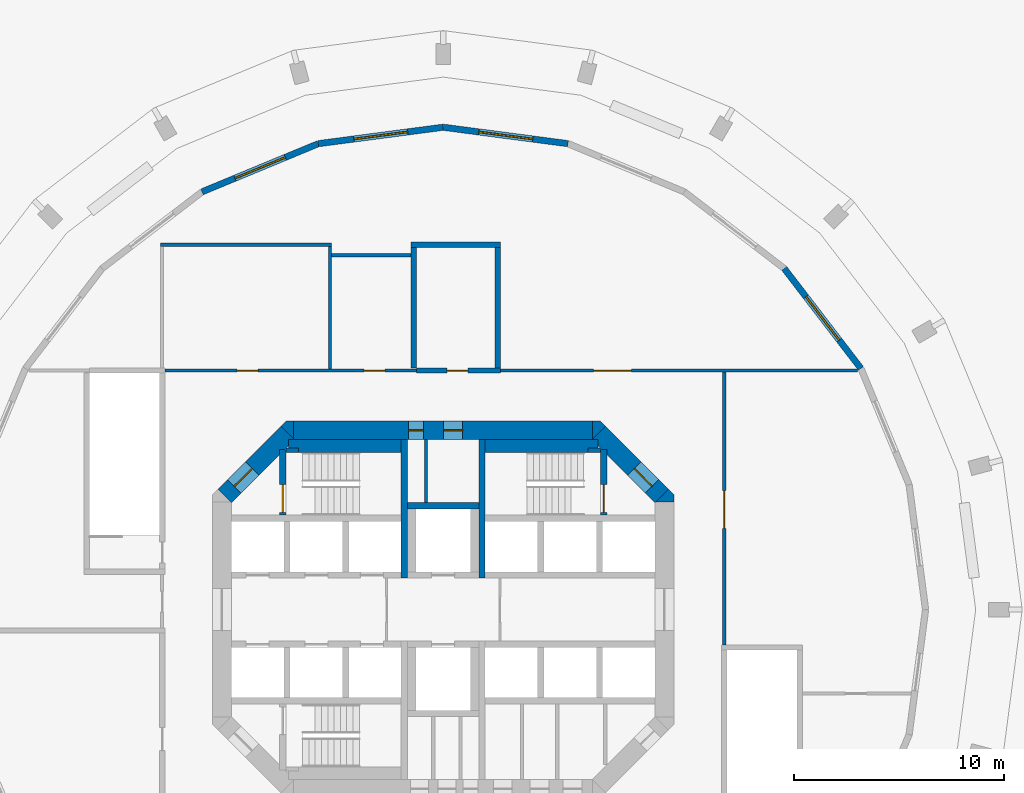
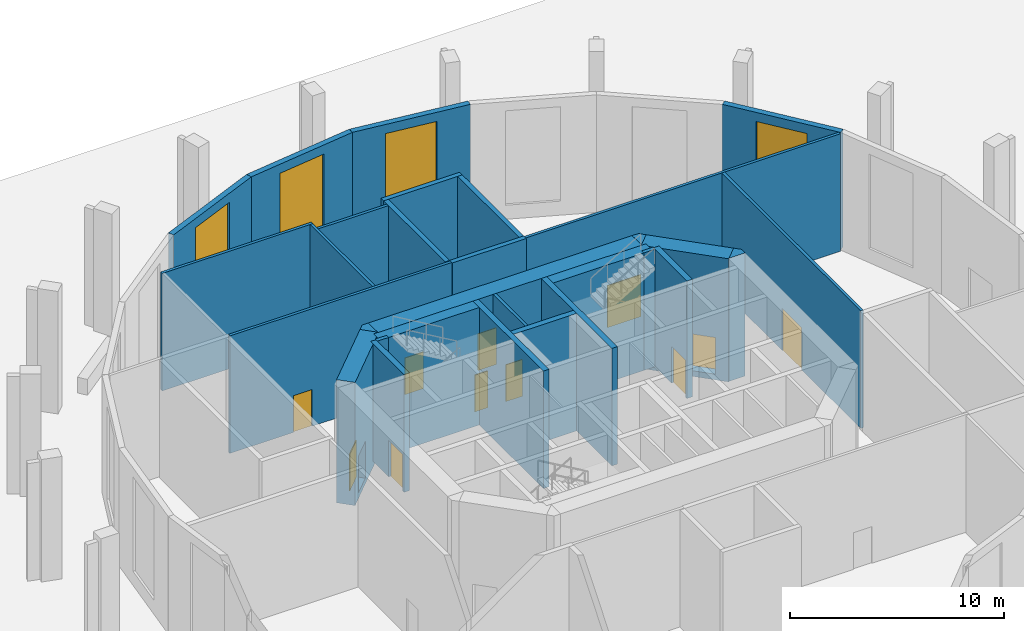
# One storey, part 5 of 7: 30 walls, 11 doors, 4 windows, 15 openings.
"""IFC4 building model written with IfcOpenShell, lengths in metres."""

from ifc_helpers import new_model, si_unit, direction, frame, frame_2d, origin, place, context, subcontext, project, spatial, polyline, rectangle, outline, extrude, material, layer, layer_set, type_object, element, fill, save


model = new_model("IFC4")

# Units and contexts
model_context = context("Model", 3, precision=1e-05, world=origin(), true_north=direction((0.0, 1.0)))
body_context = subcontext(model_context, "Body", "Model", "MODEL_VIEW")
ifc_project = project(units=[si_unit("LENGTHUNIT", "METRE"), si_unit("AREAUNIT", "SQUARE_METRE"), si_unit("VOLUMEUNIT", "CUBIC_METRE"), si_unit("PLANEANGLEUNIT", "RADIAN"), si_unit("MASSUNIT", "GRAM", prefix="KILO")], contexts=[model_context])

# Site, building, storey
site_placement = place(None, origin())
site = spatial("IfcSite", under=ifc_project, at=site_placement, CompositionType="ELEMENT")
building_placement = place(site_placement, origin())
building = spatial("IfcBuilding", under=site, at=building_placement, Name="Torre Triforio", CompositionType="ELEMENT")
storey_placement = place(building_placement, frame((0.0, 0.0, 20.0)))
storey = spatial("IfcBuildingStorey", under=building, at=storey_placement, Name="L03", CompositionType="ELEMENT", Elevation=20.0)

# Walls
ifc_material_1 = material(Name="Concrete C60", Category="concrete")
ifc_layer_1 = layer(ifc_material_1, 0.300048828125)
ifc_layer_set_1 = layer_set([ifc_layer_1], Name="Concrete C60")
wall_type_1 = type_object("IfcWallType", Name="Core wall 300 mm C60 EI 120", PredefinedType="SHEAR", material=ifc_layer_set_1)
for number, where, z_axis, x_axis, name in (
    (1, (-1.85009765625, 1.5, 0.0), (0.0, 0.0, 1.0), (0.0, 1.0, 0.0), "Core wall"),
    (2, (1.85009765625, 1.5, 0.0), (0.0, 0.0, 1.0), (0.0, 1.0, 0.0), "Core wall"),
):
    element("IfcWall", number, at=place(storey_placement, frame(where, z_axis=z_axis, x_axis=x_axis)), inside=storey, type_object=wall_type_1, Name=name, PredefinedType="SHEAR", context=body_context, shape_type="SweptSolid", body=[
        extrude(rectangle(XDim=6.60009765625, YDim=0.300048828125, at=frame_2d((3.300048828125, 0.0))), origin(), (0.0, 0.0, 1.0), 6.719970703125),
    ])

# Wall, openings, doors
ifc_layer_2 = layer(ifc_material_1, 0.89990234375)
ifc_layer_set_2 = layer_set([ifc_layer_2], Name="Concrete C60")
wall_type_2 = type_object("IfcWallType", Name="Core wall 900 mm C60 EI 120", PredefinedType="SHEAR", material=ifc_layer_set_2)
wall_1_placement = place(storey_placement, frame((-7.1298828125, 8.550048828125, -0.320068359375), z_axis=(0.0, 0.0, 1.0), x_axis=(1.0, 0.0, 0.0)))
wall_1 = element("IfcWall", 3, at=wall_1_placement, inside=storey, type_object=wall_type_2, Name="Core wall", PredefinedType="SHEAR", context=body_context, shape_type="SweptSolid", body=[
    extrude(rectangle(XDim=14.259765625, YDim=0.89990234375, at=frame_2d((7.1298828125, 0.0))), origin(), (0.0, 0.0, 1.0), 7.0400390625),
])
opening_1_placement = place(wall_1_placement, frame((5.47998046875, 0.0, 0.320068359375)))
opening_1 = element("IfcOpeningElement", 4, at=opening_1_placement, cuts=wall_1, Name="Opening RISER-N", PredefinedType="OPENING", context=body_context, shape_type="SweptSolid", body=[
    extrude(rectangle(XDim=0.699951171875, YDim=2.10009765625, at=frame_2d((0.35009765625, 1.050048828125))), frame((0.0, 0.4599609375, 0.0), z_axis=(0.0, -1.0, 0.0), x_axis=(1.0, 0.0, 0.0)), (0.0, 0.0, 1.0), 0.919921875),
])
opening_2_placement = place(wall_1_placement, frame((7.155029296875, 0.0, 0.320068359375)))
opening_2 = element("IfcOpeningElement", 5, at=opening_2_placement, cuts=wall_1, Name="Opening NE-01", PredefinedType="OPENING", context=body_context, shape_type="SweptSolid", body=[
    extrude(rectangle(XDim=0.89990234375, YDim=2.10009765625, at=frame_2d((0.449951171875, 1.050048828125))), frame((0.0, 0.4599609375, 0.0), z_axis=(0.0, -1.0, 0.0), x_axis=(1.0, 0.0, 0.0)), (0.0, 0.0, 1.0), 0.919921875),
])
ifc_material_2 = material(Name="Hollow metal fire door leaf")
door_type_1 = type_object("IfcDoorType", Name="Riser door 700 x 2100 EI 60", OperationType="NOTDEFINED", PredefinedType="DOOR", material=ifc_material_2)
door_1_placement = place(opening_1_placement, origin())
door_1 = element("IfcDoor", 6, at=door_1_placement, inside=storey, type_object=door_type_1, Name="Core door RISER-N", OperationType="SINGLE_SWING_LEFT", OverallHeight=2.10009765625, OverallWidth=0.699951171875, PredefinedType="DOOR", context=body_context, shape_type="SweptSolid", body=[
    extrude(rectangle(XDim=0.699951171875, YDim=2.10009765625, at=frame_2d((0.35009765625, 1.050048828125))), frame((0.0, 0.02490234375, 0.0), z_axis=(0.0, -1.0, 0.0), x_axis=(1.0, 0.0, 0.0)), (0.0, 0.0, 1.0), 0.050048828125),
])
fill(opening_1, door_1)
door_type_2 = type_object("IfcDoorType", Name="Room door 900 x 2100 EI 60", OperationType="NOTDEFINED", PredefinedType="DOOR", material=ifc_material_2)
door_2_placement = place(opening_2_placement, origin())
door_2 = element("IfcDoor", 7, at=door_2_placement, inside=storey, type_object=door_type_2, Name="Core door NE-01", OperationType="SINGLE_SWING_RIGHT", OverallHeight=2.10009765625, OverallWidth=0.89990234375, PredefinedType="DOOR", context=body_context, shape_type="SweptSolid", body=[
    extrude(rectangle(XDim=0.89990234375, YDim=2.10009765625, at=frame_2d((0.449951171875, 1.050048828125))), frame((0.0, 0.02490234375, 0.0), z_axis=(0.0, -1.0, 0.0), x_axis=(1.0, 0.0, 0.0)), (0.0, 0.0, 1.0), 0.050048828125),
])
fill(opening_2, door_2)

# Wall, opening, door
wall_2_placement = place(storey_placement, frame((-10.418212890625, 5.418212890625, -0.320068359375), z_axis=(0.0, 0.0, 1.0), x_axis=(0.707106781187, 0.707106781187, 0.0)))
wall_2 = element("IfcWall", 8, at=wall_2_placement, inside=storey, type_object=wall_type_2, Name="Core wall", PredefinedType="SHEAR", context=body_context, shape_type="SweptSolid", body=[
    extrude(rectangle(XDim=4.24267578125, YDim=0.89990234375, at=frame_2d((2.121337890625, 0.0))), origin(), (0.0, 0.0, 1.0), 7.0400390625),
])
opening_3_placement = place(wall_2_placement, frame((0.64990234375, 0.0, 0.320068359375)))
opening_3 = element("IfcOpeningElement", 9, at=opening_3_placement, cuts=wall_2, Name="Opening ST1-EXIT", PredefinedType="OPENING", context=body_context, shape_type="SweptSolid", body=[
    extrude(rectangle(XDim=1.199951171875, YDim=2.10009765625, at=frame_2d((0.60009765625, 1.050048828125))), frame((0.0, 0.4599609375, 0.0), z_axis=(0.0, -1.0, 0.0), x_axis=(1.0, 0.0, 0.0)), (0.0, 0.0, 1.0), 0.919921875),
])
door_type_3 = type_object("IfcDoorType", Name="Stair lobby door 1200 x 2100 EI 60", OperationType="NOTDEFINED", PredefinedType="DOOR", material=ifc_material_2)
door_3_placement = place(opening_3_placement, origin())
door_3 = element("IfcDoor", 10, at=door_3_placement, inside=storey, type_object=door_type_3, Name="Core door ST1-EXIT", OperationType="SINGLE_SWING_RIGHT", OverallHeight=2.10009765625, OverallWidth=1.199951171875, PredefinedType="DOOR", context=body_context, shape_type="SweptSolid", body=[
    extrude(rectangle(XDim=1.199951171875, YDim=2.10009765625, at=frame_2d((0.60009765625, 1.050048828125))), frame((0.0, 0.02490234375, 0.0), z_axis=(0.0, -1.0, 0.0), x_axis=(1.0, 0.0, 0.0)), (0.0, 0.0, 1.0), 0.050048828125),
])
fill(opening_3, door_3)

wall_3_placement = place(storey_placement, frame((7.418212890625, 8.418212890625, -0.320068359375), z_axis=(0.0, 0.0, 1.0), x_axis=(0.707106781187, -0.707106781187, 0.0)))
wall_3 = element("IfcWall", 11, at=wall_3_placement, inside=storey, type_object=wall_type_2, Name="Core wall", PredefinedType="SHEAR", context=body_context, shape_type="SweptSolid", body=[
    extrude(rectangle(XDim=4.24267578125, YDim=0.89990234375, at=frame_2d((2.121337890625, 0.0))), origin(), (0.0, 0.0, 1.0), 7.0400390625),
])
opening_4_placement = place(wall_3_placement, frame((2.392578125, 0.0, 0.320068359375)))
opening_4 = element("IfcOpeningElement", 12, at=opening_4_placement, cuts=wall_3, Name="Opening ST2-EXIT", PredefinedType="OPENING", context=body_context, shape_type="SweptSolid", body=[
    extrude(rectangle(XDim=1.199951171875, YDim=2.10009765625, at=frame_2d((0.60009765625, 1.050048828125))), frame((0.0, 0.4599609375, 0.0), z_axis=(0.0, -1.0, 0.0), x_axis=(1.0, 0.0, 0.0)), (0.0, 0.0, 1.0), 0.919921875),
])
door_4_placement = place(opening_4_placement, origin())
door_4 = element("IfcDoor", 13, at=door_4_placement, inside=storey, type_object=door_type_3, Name="Core door ST2-EXIT", OperationType="SINGLE_SWING_RIGHT", OverallHeight=2.10009765625, OverallWidth=1.199951171875, PredefinedType="DOOR", context=body_context, shape_type="SweptSolid", body=[
    extrude(rectangle(XDim=1.199951171875, YDim=2.10009765625, at=frame_2d((0.60009765625, 1.050048828125))), frame((0.0, 0.02490234375, 0.0), z_axis=(0.0, -1.0, 0.0), x_axis=(1.0, 0.0, 0.0)), (0.0, 0.0, 1.0), 0.050048828125),
])
fill(opening_4, door_4)

# Walls
wall_4_placement = place(storey_placement, frame((0.0, 0.0, -0.320068359375)))
element("IfcWall", 14, at=wall_4_placement, inside=storey, type_object=wall_type_2, Name="Core wall", PredefinedType="SHEAR", context=body_context, shape_type="SweptSolid", body=[
    extrude(outline(polyline([(11.0, 5.472900390625), (11.0, 5.1298828125), (10.1298828125, 5.1298828125), (10.736328125, 5.736328125), (11.0, 5.472900390625)])), origin(), (0.0, 0.0, 1.0), 7.0400390625),
])
wall_5_placement = place(storey_placement, frame((0.0, 0.0, -0.320068359375)))
element("IfcWall", 15, at=wall_5_placement, inside=storey, type_object=wall_type_2, Name="Core wall", PredefinedType="SHEAR", context=body_context, shape_type="SweptSolid", body=[
    extrude(outline(polyline([(-7.472900390625, 9.0), (-7.1298828125, 9.0), (-7.1298828125, 8.1298828125), (-7.736328125, 8.736328125), (-7.472900390625, 9.0)])), origin(), (0.0, 0.0, 1.0), 7.0400390625),
])
wall_6_placement = place(storey_placement, frame((0.0, 0.0, -0.320068359375)))
element("IfcWall", 16, at=wall_6_placement, inside=storey, type_object=wall_type_2, Name="Core wall", PredefinedType="SHEAR", context=body_context, shape_type="SweptSolid", body=[
    extrude(outline(polyline([(7.472900390625, 9.0), (7.736328125, 8.736328125), (7.1298828125, 8.1298828125), (7.1298828125, 9.0), (7.472900390625, 9.0)])), origin(), (0.0, 0.0, 1.0), 7.0400390625),
])

# Wall, opening, door
ifc_material_3 = material(Name="Plasterboard on metal studs")
ifc_layer_3 = layer(ifc_material_3, 0.14990234375)
ifc_layer_set_3 = layer_set([ifc_layer_3], Name="Plasterboard on metal studs")
wall_type_3 = type_object("IfcWallType", Name="Corridor wall 150 EI 60", PredefinedType="PARTITIONING", material=ifc_layer_set_3)
wall_7_placement = place(storey_placement, frame((13.39990234375, -1.675048828125, 0.0), z_axis=(0.0, 0.0, 1.0), x_axis=(0.0, 1.0, 0.0)))
wall_7 = element("IfcWall", 17, at=wall_7_placement, inside=storey, type_object=wall_type_3, Name="Corridor wall L03 006", PredefinedType="PARTITIONING", context=body_context, shape_type="SweptSolid", body=[
    extrude(rectangle(XDim=13.0, YDim=0.14990234375, at=frame_2d((6.5, 0.0))), origin(), (0.0, 0.0, 1.0), 6.719970703125),
])
opening_5_placement = place(wall_7_placement, frame((5.550048828125, 0.0, 0.0)))
opening_5 = element("IfcOpeningElement", 18, at=opening_5_placement, cuts=wall_7, Name="Opening P3-09", PredefinedType="OPENING", context=body_context, shape_type="SweptSolid", body=[
    extrude(rectangle(XDim=1.800048828125, YDim=2.39990234375, at=frame_2d((0.89990234375, 1.199951171875))), frame((0.0, 0.0849609375, 0.0), z_axis=(0.0, -1.0, 0.0), x_axis=(1.0, 0.0, 0.0)), (0.0, 0.0, 1.0), 0.169921875),
])
ifc_material_4 = material(Name="Timber door leaf", Category="wood")
door_type_4 = type_object("IfcDoorType", Name="Double door 1800 x 2400 EI 60", OperationType="NOTDEFINED", PredefinedType="DOOR", material=ifc_material_4)
door_5_placement = place(opening_5_placement, origin())
door_5 = element("IfcDoor", 19, at=door_5_placement, inside=storey, type_object=door_type_4, Name="Door P3-09", OperationType="SINGLE_SWING_LEFT", OverallHeight=2.39990234375, OverallWidth=1.800048828125, PredefinedType="DOOR", context=body_context, shape_type="SweptSolid", body=[
    extrude(rectangle(XDim=1.800048828125, YDim=2.39990234375, at=frame_2d((0.89990234375, 1.199951171875))), frame((0.0, 0.02490234375, 0.0), z_axis=(0.0, -1.0, 0.0), x_axis=(1.0, 0.0, 0.0)), (0.0, 0.0, 1.0), 0.050048828125),
])
fill(opening_5, door_5)

wall_8_placement = place(storey_placement, frame((2.72509765625, 11.39990234375, 0.0), z_axis=(0.0, 0.0, 1.0), x_axis=(1.0, 0.0, 0.0)))
wall_8 = element("IfcWall", 20, at=wall_8_placement, inside=storey, type_object=wall_type_3, Name="Corridor wall L03 015", PredefinedType="PARTITIONING", context=body_context, shape_type="SweptSolid", body=[
    extrude(rectangle(XDim=17.0224609375, YDim=0.14990234375, at=frame_2d((8.51123046875, 0.0))), origin(), (0.0, 0.0, 1.0), 6.719970703125),
])
opening_6_placement = place(wall_8_placement, frame((4.449951171875, 0.0, 0.0)))
opening_6 = element("IfcOpeningElement", 21, at=opening_6_placement, cuts=wall_8, Name="Opening P3-08", PredefinedType="OPENING", context=body_context, shape_type="SweptSolid", body=[
    extrude(rectangle(XDim=1.800048828125, YDim=2.39990234375, at=frame_2d((0.89990234375, 1.199951171875))), frame((0.0, 0.0849609375, 0.0), z_axis=(0.0, -1.0, 0.0), x_axis=(1.0, 0.0, 0.0)), (0.0, 0.0, 1.0), 0.169921875),
])
door_6_placement = place(opening_6_placement, origin())
door_6 = element("IfcDoor", 22, at=door_6_placement, inside=storey, type_object=door_type_4, Name="Door P3-08", OperationType="SINGLE_SWING_LEFT", OverallHeight=2.39990234375, OverallWidth=1.800048828125, PredefinedType="DOOR", context=body_context, shape_type="SweptSolid", body=[
    extrude(rectangle(XDim=1.800048828125, YDim=2.39990234375, at=frame_2d((0.89990234375, 1.199951171875))), frame((0.0, 0.02490234375, 0.0), z_axis=(0.0, -1.0, 0.0), x_axis=(1.0, 0.0, 0.0)), (0.0, 0.0, 1.0), 0.050048828125),
])
fill(opening_6, door_6)

# Walls
ifc_material_5 = material(Name="Block and board partition")
ifc_layer_4 = layer(ifc_material_5, 0.14990234375)
ifc_layer_set_4 = layer_set([ifc_layer_4], Name="Block and board partition")
wall_type_4 = type_object("IfcWallType", Name="Partition 150 mm EI 120", PredefinedType="PARTITIONING", material=ifc_layer_set_4)
wall_9_placement = place(storey_placement, frame((-0.824951171875, 5.10009765625, 0.0), z_axis=(0.0, 0.0, 1.0), x_axis=(0.0, 1.0, 0.0)))
element("IfcWall", 23, at=wall_9_placement, inside=storey, type_object=wall_type_4, Name="Partition", PredefinedType="PARTITIONING", context=body_context, shape_type="SweptSolid", body=[
    extrude(rectangle(XDim=3.0, YDim=0.14990234375, at=frame_2d((1.5, 0.0))), origin(), (0.0, 0.0, 1.0), 6.719970703125),
])
ifc_material_6 = material(Name="Masonry block", Category="masonry")
ifc_layer_5 = layer(ifc_material_6, 0.25)
ifc_layer_set_5 = layer_set([ifc_layer_5], Name="Masonry block")
wall_type_5 = type_object("IfcWallType", Name="Plant room wall 250 EI 120", PredefinedType="PARTITIONING", material=ifc_layer_set_5)
wall_10_placement = place(storey_placement, frame((-1.39990234375, 11.52490234375, 0.0), z_axis=(0.0, 0.0, 1.0), x_axis=(0.0, 1.0, 0.0)))
element("IfcWall", 24, at=wall_10_placement, inside=storey, type_object=wall_type_5, Name="Plant room wall L03 001", PredefinedType="PARTITIONING", context=body_context, shape_type="SweptSolid", body=[
    extrude(rectangle(XDim=5.75, YDim=0.25, at=frame_2d((2.875, 0.0))), origin(), (0.0, 0.0, 1.0), 6.719970703125),
])
wall_11_placement = place(storey_placement, frame((-1.52490234375, 17.39990234375, 0.0), z_axis=(0.0, 0.0, 1.0), x_axis=(1.0, 0.0, 0.0)))
element("IfcWall", 25, at=wall_11_placement, inside=storey, type_object=wall_type_5, Name="Plant room wall L03 007", PredefinedType="PARTITIONING", context=body_context, shape_type="SweptSolid", body=[
    extrude(rectangle(XDim=4.25, YDim=0.25, at=frame_2d((2.125, 0.0))), origin(), (0.0, 0.0, 1.0), 6.719970703125),
])
wall_12_placement = place(storey_placement, frame((2.60009765625, 11.52490234375, 0.0), z_axis=(0.0, 0.0, 1.0), x_axis=(0.0, 1.0, 0.0)))
element("IfcWall", 26, at=wall_12_placement, inside=storey, type_object=wall_type_5, Name="Plant room wall L03 008", PredefinedType="PARTITIONING", context=body_context, shape_type="SweptSolid", body=[
    extrude(rectangle(XDim=5.75, YDim=0.25, at=frame_2d((2.875, 0.0))), origin(), (0.0, 0.0, 1.0), 6.719970703125),
])

# Wall, opening, door
wall_13_placement = place(storey_placement, frame((-1.27490234375, 11.39990234375, 0.0), z_axis=(0.0, 0.0, 1.0), x_axis=(1.0, 0.0, 0.0)))
wall_13 = element("IfcWall", 27, at=wall_13_placement, inside=storey, type_object=wall_type_5, Name="Plant room wall L03 009", PredefinedType="PARTITIONING", context=body_context, shape_type="SweptSolid", body=[
    extrude(rectangle(XDim=4.0, YDim=0.25, at=frame_2d((2.0, 0.0))), origin(), (0.0, 0.0, 1.0), 6.719970703125),
])
opening_7_placement = place(wall_13_placement, frame((1.449951171875, 0.0, 0.0)))
opening_7 = element("IfcOpeningElement", 28, at=opening_7_placement, cuts=wall_13, Name="Opening P3-07", PredefinedType="OPENING", context=body_context, shape_type="SweptSolid", body=[
    extrude(rectangle(XDim=1.0, YDim=2.10009765625, at=frame_2d((0.5, 1.050048828125))), frame((0.0, 0.135009765625, 0.0), z_axis=(0.0, -1.0, 0.0), x_axis=(1.0, 0.0, 0.0)), (0.0, 0.0, 1.0), 0.27001953125),
])
door_type_5 = type_object("IfcDoorType", Name="Fire door 1000 x 2100 EI 60", OperationType="NOTDEFINED", PredefinedType="DOOR", material=ifc_material_2)
door_7_placement = place(opening_7_placement, origin())
door_7 = element("IfcDoor", 29, at=door_7_placement, inside=storey, type_object=door_type_5, Name="Door P3-07", OperationType="SINGLE_SWING_LEFT", OverallHeight=2.10009765625, OverallWidth=1.0, PredefinedType="DOOR", context=body_context, shape_type="SweptSolid", body=[
    extrude(rectangle(XDim=1.0, YDim=2.10009765625, at=frame_2d((0.5, 1.050048828125))), frame((0.0, 0.02490234375, 0.0), z_axis=(0.0, -1.0, 0.0), x_axis=(1.0, 0.0, 0.0)), (0.0, 0.0, 1.0), 0.050048828125),
])
fill(opening_7, door_7)

# Walls
ifc_layer_6 = layer(ifc_material_1, 0.300048828125)
ifc_layer_set_6 = layer_set([ifc_layer_6], Name="Concrete C60")
wall_type_6 = type_object("IfcWallType", Name="Shaft wall 300 mm C60 EI 120", PredefinedType="SOLIDWALL", material=ifc_layer_set_6)
wall_14_placement = place(storey_placement, frame((-1.699951171875, 4.949951171875, 0.0), z_axis=(0.0, 0.0, 1.0), x_axis=(1.0, 0.0, 0.0)))
element("IfcWall", 30, at=wall_14_placement, inside=storey, type_object=wall_type_6, Name="Shaft wall", PredefinedType="SOLIDWALL", context=body_context, shape_type="SweptSolid", body=[
    extrude(rectangle(XDim=3.39990234375, YDim=0.300048828125, at=frame_2d((1.699951171875, 0.0))), origin(), (0.0, 0.0, 1.0), 6.719970703125),
])
ifc_layer_7 = layer(ifc_material_1, 0.199951171875)
ifc_layer_set_7 = layer_set([ifc_layer_7], Name="Concrete C60")
wall_type_7 = type_object("IfcWallType", Name="Stair wall 200 mm C60 EI 120", PredefinedType="SHEAR", material=ifc_layer_set_7)
for number, where, z_axis, x_axis, name in (
    (31, (-7.5, 7.60009765625, 0.0), (0.0, 0.0, 1.0), (1.0, 0.0, 0.0), "Stair wall"),
    (32, (6.89990234375, 7.60009765625, 0.0), (0.0, 0.0, 1.0), (1.0, 0.0, 0.0), "Stair wall"),
):
    element("IfcWall", number, at=place(storey_placement, frame(where, z_axis=z_axis, x_axis=x_axis)), inside=storey, type_object=wall_type_7, Name=name, PredefinedType="SHEAR", context=body_context, shape_type="SweptSolid", body=[
        extrude(rectangle(XDim=0.60009765625, YDim=0.199951171875, at=frame_2d((0.300048828125, 0.0))), origin(), (0.0, 0.0, 1.0), 6.719970703125),
    ])

# Wall, opening, door
ifc_layer_8 = layer(ifc_material_1, 0.300048828125)
ifc_layer_set_8 = layer_set([ifc_layer_8], Name="Concrete C60")
wall_type_8 = type_object("IfcWallType", Name="Stair wall 300 mm C60 EI 120", PredefinedType="SHEAR", material=ifc_layer_set_8)
wall_15_placement = place(storey_placement, frame((-7.64990234375, 4.5, 0.0), z_axis=(0.0, 0.0, 1.0), x_axis=(0.0, 1.0, 0.0)))
wall_15 = element("IfcWall", 33, at=wall_15_placement, inside=storey, type_object=wall_type_8, Name="Stair wall", PredefinedType="SHEAR", context=body_context, shape_type="SweptSolid", body=[
    extrude(rectangle(XDim=3.139892578125, YDim=0.300048828125, at=frame_2d((1.56982421875, 0.0))), origin(), (0.0, 0.0, 1.0), 6.719970703125),
])
opening_8_placement = place(wall_15_placement, frame((0.139892578125, 0.0, 0.0)))
opening_8 = element("IfcOpeningElement", 34, at=opening_8_placement, cuts=wall_15, Name="Opening ST1-STA", PredefinedType="OPENING", context=body_context, shape_type="SweptSolid", body=[
    extrude(rectangle(XDim=1.320068359375, YDim=2.10009765625, at=frame_2d((0.66015625, 1.050048828125))), frame((0.0, 0.159912109375, 0.0), z_axis=(0.0, -1.0, 0.0), x_axis=(1.0, 0.0, 0.0)), (0.0, 0.0, 1.0), 0.320068359375),
])
door_type_6 = type_object("IfcDoorType", Name="Stair door 1320 x 2100 EI 90", OperationType="DOUBLE_DOOR_SINGLE_SWING", PredefinedType="DOOR", material=ifc_material_2)
door_8_placement = place(opening_8_placement, origin())
door_8 = element("IfcDoor", 35, at=door_8_placement, inside=storey, type_object=door_type_6, Name="Core door ST1-ST", OperationType="DOUBLE_DOOR_SINGLE_SWING", OverallHeight=2.10009765625, OverallWidth=1.320068359375, PredefinedType="DOOR", context=body_context, shape_type="SweptSolid", body=[
    extrude(rectangle(XDim=1.320068359375, YDim=2.10009765625, at=frame_2d((0.66015625, 1.050048828125))), frame((0.0, 0.02490234375, 0.0), z_axis=(0.0, -1.0, 0.0), x_axis=(1.0, 0.0, 0.0)), (0.0, 0.0, 1.0), 0.050048828125),
])
fill(opening_8, door_8)

wall_16_placement = place(storey_placement, frame((7.64990234375, 4.5, 0.0), z_axis=(0.0, 0.0, 1.0), x_axis=(0.0, 1.0, 0.0)))
wall_16 = element("IfcWall", 36, at=wall_16_placement, inside=storey, type_object=wall_type_8, Name="Stair wall", PredefinedType="SHEAR", context=body_context, shape_type="SweptSolid", body=[
    extrude(rectangle(XDim=3.139892578125, YDim=0.300048828125, at=frame_2d((1.56982421875, 0.0))), origin(), (0.0, 0.0, 1.0), 6.719970703125),
])
opening_9_placement = place(wall_16_placement, frame((0.139892578125, 0.0, 0.0)))
opening_9 = element("IfcOpeningElement", 37, at=opening_9_placement, cuts=wall_16, Name="Opening ST2-STA", PredefinedType="OPENING", context=body_context, shape_type="SweptSolid", body=[
    extrude(rectangle(XDim=1.320068359375, YDim=2.10009765625, at=frame_2d((0.66015625, 1.050048828125))), frame((0.0, 0.159912109375, 0.0), z_axis=(0.0, -1.0, 0.0), x_axis=(1.0, 0.0, 0.0)), (0.0, 0.0, 1.0), 0.320068359375),
])
door_9_placement = place(opening_9_placement, origin())
door_9 = element("IfcDoor", 38, at=door_9_placement, inside=storey, type_object=door_type_6, Name="Core door ST2-ST", OperationType="DOUBLE_DOOR_SINGLE_SWING", OverallHeight=2.10009765625, OverallWidth=1.320068359375, PredefinedType="DOOR", context=body_context, shape_type="SweptSolid", body=[
    extrude(rectangle(XDim=1.320068359375, YDim=2.10009765625, at=frame_2d((0.66015625, 1.050048828125))), frame((0.0, 0.02490234375, 0.0), z_axis=(0.0, -1.0, 0.0), x_axis=(1.0, 0.0, 0.0)), (0.0, 0.0, 1.0), 0.050048828125),
])
fill(opening_9, door_9)

# Walls
ifc_layer_9 = layer(ifc_material_1, 0.60009765625)
ifc_layer_set_9 = layer_set([ifc_layer_9], Name="Concrete C60")
wall_type_9 = type_object("IfcWallType", Name="Stair wall 600 mm C60 EI 120", PredefinedType="SHEAR", material=ifc_layer_set_9)
for number, where, z_axis, x_axis, name in (
    (39, (-7.3701171875, 7.800048828125, 0.0), (0.0, 0.0, 1.0), (1.0, 0.0, 0.0), "Stair wall"),
    (40, (2.0, 7.800048828125, 0.0), (0.0, 0.0, 1.0), (1.0, 0.0, 0.0), "Stair wall"),
):
    element("IfcWall", number, at=place(storey_placement, frame(where, z_axis=z_axis, x_axis=x_axis)), inside=storey, type_object=wall_type_9, Name=name, PredefinedType="SHEAR", context=body_context, shape_type="SweptSolid", body=[
        extrude(rectangle(XDim=5.3701171875, YDim=0.60009765625, at=frame_2d((2.68505859375, 0.0))), origin(), (0.0, 0.0, 1.0), 6.719970703125),
    ])

# Wall, opening, window
ifc_material_7 = material(Name="Limestone cladding", Category="masonry")
ifc_layer_10 = layer(ifc_material_7, 0.10009765625)
ifc_material_8 = material(Name="Concrete C40", Category="concrete")
ifc_layer_11 = layer(ifc_material_8, 0.199951171875)
ifc_layer_set_10 = layer_set([ifc_layer_10, ifc_layer_11], Name="Limestone cladding / Concrete C40")
wall_type_10 = type_object("IfcWallType", Name="Stone-faced composite wall 300", PredefinedType="STANDARD", material=ifc_layer_set_10)
wall_17_placement = place(storey_placement, frame((19.918701171875, 11.5, 0.0), z_axis=(0.0, 0.0, 1.0), x_axis=(-0.608778912074, 0.793339924758, 0.0)))
wall_17 = element("IfcWall", 41, at=wall_17_placement, inside=storey, type_object=wall_type_10, Name="External wall L03 bay 03", PredefinedType="STANDARD", context=body_context, shape_type="SweptSolid", body=[
    extrude(rectangle(XDim=6.004150390625, YDim=0.300048828125, at=frame_2d((3.001953125, 0.0))), origin(), (0.0, 0.0, 1.0), 6.719970703125),
])
opening_10_placement = place(wall_17_placement, frame((1.7021484375, 0.0, 0.800048828125)))
opening_10 = element("IfcOpeningElement", 42, at=opening_10_placement, cuts=wall_17, Name="Opening P3-W03", PredefinedType="OPENING", context=body_context, shape_type="SweptSolid", body=[
    extrude(rectangle(XDim=2.60009765625, YDim=5.39990234375, at=frame_2d((1.300048828125, 2.699951171875))), frame((0.0, 0.159912109375, 0.0), z_axis=(0.0, -1.0, 0.0), x_axis=(1.0, 0.0, 0.0)), (0.0, 0.0, 1.0), 0.320068359375),
])
ifc_material_9 = material(Name="Aluminium frame with clear double glazing", Category="aluminium")
window_type = type_object("IfcWindowType", Name="Punched window 2600 x 5400", PartitioningType="DOUBLE_PANEL_VERTICAL", PredefinedType="WINDOW", material=ifc_material_9)
window_1_placement = place(opening_10_placement, origin())
window_1 = element("IfcWindow", 43, at=window_1_placement, inside=storey, type_object=window_type, Name="Window EWN1 L03 bay 03", OverallHeight=5.39990234375, OverallWidth=2.60009765625, PartitioningType="SINGLE_PANEL", PredefinedType="WINDOW", context=body_context, shape_type="SweptSolid", body=[
    extrude(rectangle(XDim=2.60009765625, YDim=5.39990234375, at=frame_2d((1.300048828125, 2.699951171875))), frame((0.0, 0.030029296875, 0.0), z_axis=(0.0, -1.0, 0.0), x_axis=(1.0, 0.0, 0.0)), (0.0, 0.0, 1.0), 0.06005859375),
])
fill(opening_10, window_1)

wall_18_placement = place(storey_placement, frame((5.952880859375, 22.21630859375, 0.0), z_axis=(0.0, 0.0, 1.0), x_axis=(-0.991445297315, 0.130522880875, 0.0)))
wall_18 = element("IfcWall", 44, at=wall_18_placement, inside=storey, type_object=wall_type_10, Name="External wall L03 bay 06", PredefinedType="STANDARD", context=body_context, shape_type="SweptSolid", body=[
    extrude(rectangle(XDim=6.004150390625, YDim=0.300048828125, at=frame_2d((3.001953125, 0.0))), origin(), (0.0, 0.0, 1.0), 6.719970703125),
])
opening_11_placement = place(wall_18_placement, frame((1.7021484375, 0.0, 0.800048828125)))
opening_11 = element("IfcOpeningElement", 45, at=opening_11_placement, cuts=wall_18, Name="Opening P3-W06", PredefinedType="OPENING", context=body_context, shape_type="SweptSolid", body=[
    extrude(rectangle(XDim=2.60009765625, YDim=5.39990234375, at=frame_2d((1.300048828125, 2.699951171875))), frame((0.0, 0.159912109375, 0.0), z_axis=(0.0, -1.0, 0.0), x_axis=(1.0, 0.0, 0.0)), (0.0, 0.0, 1.0), 0.320068359375),
])
window_2_placement = place(opening_11_placement, origin())
window_2 = element("IfcWindow", 46, at=window_2_placement, inside=storey, type_object=window_type, Name="Window EWN1 L03 bay 06", OverallHeight=5.39990234375, OverallWidth=2.60009765625, PartitioningType="SINGLE_PANEL", PredefinedType="WINDOW", context=body_context, shape_type="SweptSolid", body=[
    extrude(rectangle(XDim=2.60009765625, YDim=5.39990234375, at=frame_2d((1.300048828125, 2.699951171875))), frame((0.0, 0.030029296875, 0.0), z_axis=(0.0, -1.0, 0.0), x_axis=(1.0, 0.0, 0.0)), (0.0, 0.0, 1.0), 0.06005859375),
])
fill(opening_11, window_2)

wall_19_placement = place(storey_placement, frame((0.0, 23.0, 0.0), z_axis=(0.0, 0.0, 1.0), x_axis=(-0.991445297315, -0.130522880875, 0.0)))
wall_19 = element("IfcWall", 47, at=wall_19_placement, inside=storey, type_object=wall_type_10, Name="External wall L03 bay 07", PredefinedType="STANDARD", context=body_context, shape_type="SweptSolid", body=[
    extrude(rectangle(XDim=6.004150390625, YDim=0.300048828125, at=frame_2d((3.001953125, 0.0))), origin(), (0.0, 0.0, 1.0), 6.719970703125),
])
opening_12_placement = place(wall_19_placement, frame((1.7021484375, 0.0, 0.800048828125)))
opening_12 = element("IfcOpeningElement", 48, at=opening_12_placement, cuts=wall_19, Name="Opening P3-W07", PredefinedType="OPENING", context=body_context, shape_type="SweptSolid", body=[
    extrude(rectangle(XDim=2.60009765625, YDim=5.39990234375, at=frame_2d((1.300048828125, 2.699951171875))), frame((0.0, 0.159912109375, 0.0), z_axis=(0.0, -1.0, 0.0), x_axis=(1.0, 0.0, 0.0)), (0.0, 0.0, 1.0), 0.320068359375),
])
window_3_placement = place(opening_12_placement, origin())
window_3 = element("IfcWindow", 49, at=window_3_placement, inside=storey, type_object=window_type, Name="Window EWN1 L03 bay 07", OverallHeight=5.39990234375, OverallWidth=2.60009765625, PartitioningType="SINGLE_PANEL", PredefinedType="WINDOW", context=body_context, shape_type="SweptSolid", body=[
    extrude(rectangle(XDim=2.60009765625, YDim=5.39990234375, at=frame_2d((1.300048828125, 2.699951171875))), frame((0.0, 0.030029296875, 0.0), z_axis=(0.0, -1.0, 0.0), x_axis=(1.0, 0.0, 0.0)), (0.0, 0.0, 1.0), 0.06005859375),
])
fill(opening_12, window_3)

wall_20_placement = place(storey_placement, frame((-5.952880859375, 22.21630859375, 0.0), z_axis=(0.0, 0.0, 1.0), x_axis=(-0.923884511653, -0.382671411433, 0.0)))
wall_20 = element("IfcWall", 50, at=wall_20_placement, inside=storey, type_object=wall_type_10, Name="External wall L03 bay 08", PredefinedType="STANDARD", context=body_context, shape_type="SweptSolid", body=[
    extrude(rectangle(XDim=6.004150390625, YDim=0.300048828125, at=frame_2d((3.001953125, 0.0))), origin(), (0.0, 0.0, 1.0), 6.719970703125),
])
opening_13_placement = place(wall_20_placement, frame((1.7021484375, 0.0, 0.800048828125)))
opening_13 = element("IfcOpeningElement", 51, at=opening_13_placement, cuts=wall_20, Name="Opening P3-W08", PredefinedType="OPENING", context=body_context, shape_type="SweptSolid", body=[
    extrude(rectangle(XDim=2.60009765625, YDim=5.39990234375, at=frame_2d((1.300048828125, 2.699951171875))), frame((0.0, 0.159912109375, 0.0), z_axis=(0.0, -1.0, 0.0), x_axis=(1.0, 0.0, 0.0)), (0.0, 0.0, 1.0), 0.320068359375),
])
window_4_placement = place(opening_13_placement, origin())
window_4 = element("IfcWindow", 52, at=window_4_placement, inside=storey, type_object=window_type, Name="Window EWN1 L03 bay 08", OverallHeight=5.39990234375, OverallWidth=2.60009765625, PartitioningType="SINGLE_PANEL", PredefinedType="WINDOW", context=body_context, shape_type="SweptSolid", body=[
    extrude(rectangle(XDim=2.60009765625, YDim=5.39990234375, at=frame_2d((1.300048828125, 2.699951171875))), frame((0.0, 0.030029296875, 0.0), z_axis=(0.0, -1.0, 0.0), x_axis=(1.0, 0.0, 0.0)), (0.0, 0.0, 1.0), 0.06005859375),
])
fill(opening_13, window_4)

# Walls
ifc_layer_12 = layer(ifc_material_3, 0.14990234375)
ifc_layer_set_11 = layer_set([ifc_layer_12], Name="Plasterboard on metal studs")
wall_type_11 = type_object("IfcWallType", Name="Wet room wall 150", PredefinedType="PARTITIONING", material=ifc_layer_set_11)
wall_21_placement = place(storey_placement, frame((-5.324951171875, 16.89990234375, 0.0), z_axis=(0.0, 0.0, 1.0), x_axis=(1.0, 0.0, 0.0)))
element("IfcWall", 53, at=wall_21_placement, inside=storey, type_object=wall_type_11, Name="Wet room wall L03 002", PredefinedType="PARTITIONING", context=body_context, shape_type="SweptSolid", body=[
    extrude(rectangle(XDim=3.800048828125, YDim=0.14990234375, at=frame_2d((1.89990234375, 0.0))), origin(), (0.0, 0.0, 1.0), 6.719970703125),
])
wall_22_placement = place(storey_placement, frame((-5.39990234375, 11.47509765625, 0.0), z_axis=(0.0, 0.0, 1.0), x_axis=(0.0, 1.0, 0.0)))
element("IfcWall", 54, at=wall_22_placement, inside=storey, type_object=wall_type_11, Name="Wet room wall L03 003", PredefinedType="PARTITIONING", context=body_context, shape_type="SweptSolid", body=[
    extrude(rectangle(XDim=5.849853515625, YDim=0.14990234375, at=frame_2d((2.9248046875, 0.0))), origin(), (0.0, 0.0, 1.0), 6.719970703125),
])
wall_23_placement = place(storey_placement, frame((-13.47509765625, 17.39990234375, 0.0), z_axis=(0.0, 0.0, 1.0), x_axis=(1.0, 0.0, 0.0)))
element("IfcWall", 55, at=wall_23_placement, inside=storey, type_object=wall_type_11, Name="Wet room wall L03 016", PredefinedType="PARTITIONING", context=body_context, shape_type="SweptSolid", body=[
    extrude(rectangle(XDim=8.150146484375, YDim=0.14990234375, at=frame_2d((4.0751953125, 0.0))), origin(), (0.0, 0.0, 1.0), 6.719970703125),
])

# Wall, openings, doors
wall_24_placement = place(storey_placement, frame((-13.27490234375, 11.39990234375, 0.0), z_axis=(0.0, 0.0, 1.0), x_axis=(1.0, 0.0, 0.0)))
wall_24 = element("IfcWall", 56, at=wall_24_placement, inside=storey, type_object=wall_type_11, Name="Wet room wall L03 026", PredefinedType="PARTITIONING", context=body_context, shape_type="SweptSolid", body=[
    extrude(rectangle(XDim=12.0, YDim=0.14990234375, at=frame_2d((6.0, 0.0))), origin(), (0.0, 0.0, 1.0), 6.719970703125),
])
opening_14_placement = place(wall_24_placement, frame((3.449951171875, 0.0, 0.0)))
opening_14 = element("IfcOpeningElement", 57, at=opening_14_placement, cuts=wall_24, Name="Opening P3-05", PredefinedType="OPENING", context=body_context, shape_type="SweptSolid", body=[
    extrude(rectangle(XDim=1.0, YDim=2.10009765625, at=frame_2d((0.5, 1.050048828125))), frame((0.0, 0.0849609375, 0.0), z_axis=(0.0, -1.0, 0.0), x_axis=(1.0, 0.0, 0.0)), (0.0, 0.0, 1.0), 0.169921875),
])
opening_15_placement = place(wall_24_placement, frame((9.5, 0.0, 0.0)))
opening_15 = element("IfcOpeningElement", 58, at=opening_15_placement, cuts=wall_24, Name="Opening P3-06", PredefinedType="OPENING", context=body_context, shape_type="SweptSolid", body=[
    extrude(rectangle(XDim=1.0, YDim=2.10009765625, at=frame_2d((0.5, 1.050048828125))), frame((0.0, 0.0849609375, 0.0), z_axis=(0.0, -1.0, 0.0), x_axis=(1.0, 0.0, 0.0)), (0.0, 0.0, 1.0), 0.169921875),
])
door_type_7 = type_object("IfcDoorType", Name="Single door 1000 x 2100", OperationType="NOTDEFINED", PredefinedType="DOOR", material=ifc_material_4)
door_10_placement = place(opening_14_placement, origin())
door_10 = element("IfcDoor", 59, at=door_10_placement, inside=storey, type_object=door_type_7, Name="Door P3-05", OperationType="SINGLE_SWING_LEFT", OverallHeight=2.10009765625, OverallWidth=1.0, PredefinedType="DOOR", context=body_context, shape_type="SweptSolid", body=[
    extrude(rectangle(XDim=1.0, YDim=2.10009765625, at=frame_2d((0.5, 1.050048828125))), frame((0.0, 0.02490234375, 0.0), z_axis=(0.0, -1.0, 0.0), x_axis=(1.0, 0.0, 0.0)), (0.0, 0.0, 1.0), 0.050048828125),
])
fill(opening_14, door_10)
door_11_placement = place(opening_15_placement, origin())
door_11 = element("IfcDoor", 60, at=door_11_placement, inside=storey, type_object=door_type_7, Name="Door P3-06", OperationType="SINGLE_SWING_LEFT", OverallHeight=2.10009765625, OverallWidth=1.0, PredefinedType="DOOR", context=body_context, shape_type="SweptSolid", body=[
    extrude(rectangle(XDim=1.0, YDim=2.10009765625, at=frame_2d((0.5, 1.050048828125))), frame((0.0, 0.02490234375, 0.0), z_axis=(0.0, -1.0, 0.0), x_axis=(1.0, 0.0, 0.0)), (0.0, 0.0, 1.0), 0.050048828125),
])
fill(opening_15, door_11)

save(model, "model.ifc")
